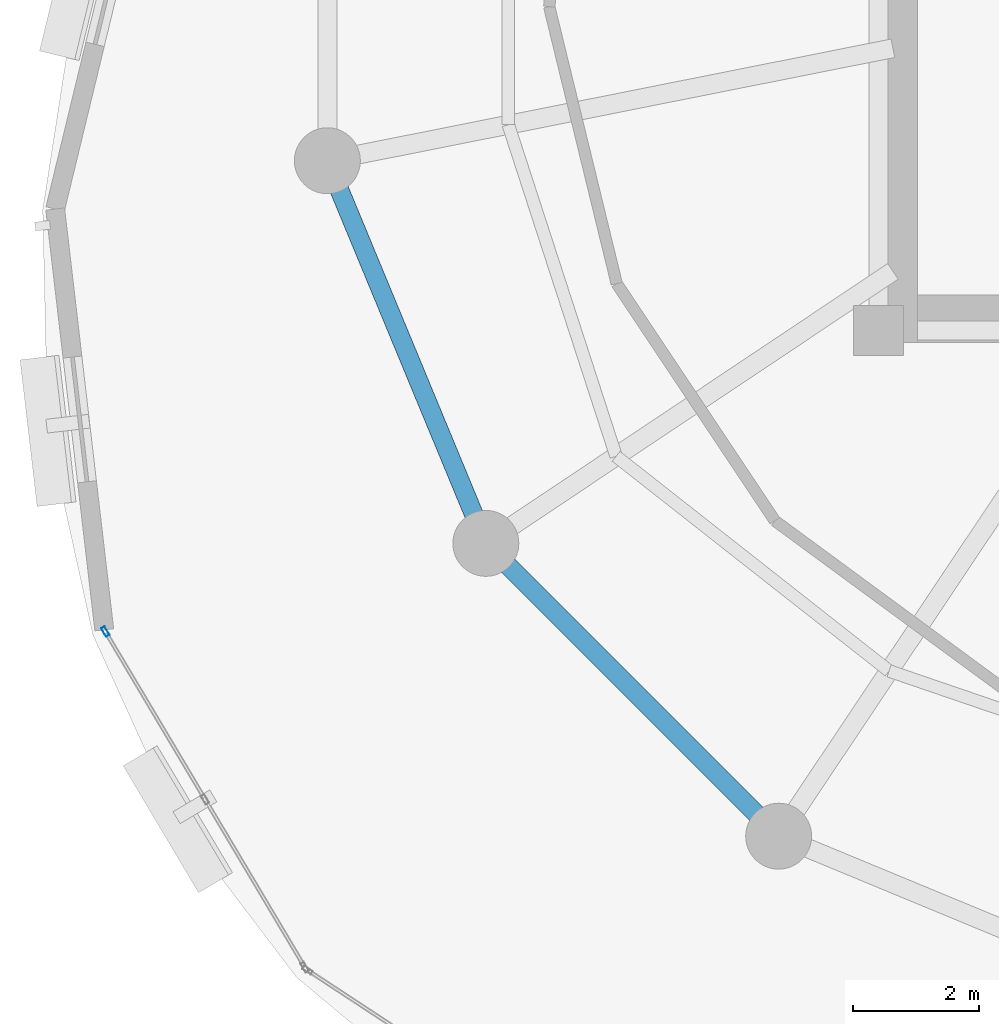
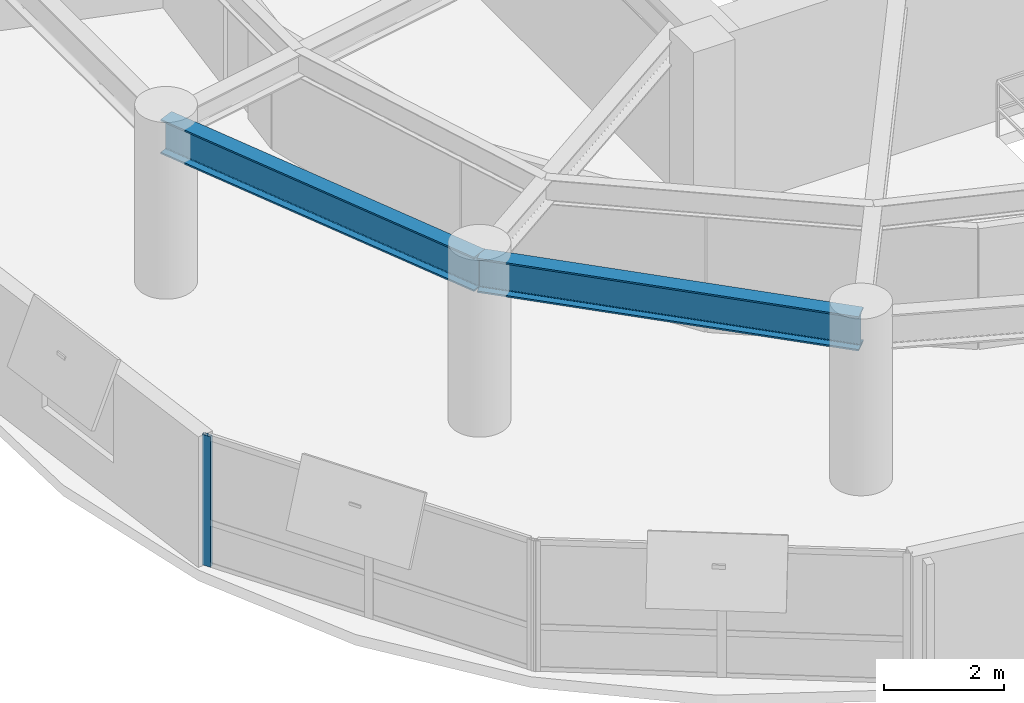
# One storey, part 4 of 12: 2 beams, 1 member, 1 element without a shape of its own.
"""IFC4 building model written with IfcOpenShell, lengths in metres."""

import ifcopenshell
import ifcopenshell.guid

model = None  # the IFC model being written
_history = None  # IfcOwnerHistory: only IFC2X3 demands one
_inside = {}  # id of a spatial element -> (the spatial element, [elements in it])
_under = {}  # id of a project, library or spatial element -> (it, [spatial elements below it])
_declared = {}  # id of a project -> (the project, [libraries it declares])
_typed = {}  # id of a type object -> (the type object, [elements of that type])
_made_of = {}  # id of a material, layer set ... -> (it, [elements and type objects made of it])


def new_model(schema):
    """Start an empty IFC model of exactly this schema.

    Asked for "IFC4X3", IfcOpenShell would pick the latest addendum, in which some entities
    have other attributes; the version numbers below select the first issue.
    IFC2X3 requires an IfcOwnerHistory on every rooted entity: one is made here for all.
    """
    global model, _history
    if schema == "IFC4X3":
        model = ifcopenshell.file(schema_version=(4, 3, 0, 0))
    else:
        model = ifcopenshell.file(schema=schema)
    _inside.clear()
    _under.clear()
    _declared.clear()
    _typed.clear()
    _made_of.clear()
    _history = None
    if model.schema == "IFC2X3":
        org = make("IfcOrganization", Name="unknown")
        user = make(
            "IfcPersonAndOrganization",
            ThePerson=make("IfcPerson", FamilyName="unknown"),
            TheOrganization=org,
        )
        app = make(
            "IfcApplication",
            ApplicationDeveloper=org,
            Version="unknown",
            ApplicationFullName="unknown",
            ApplicationIdentifier="unknown",
        )
        _history = make(
            "IfcOwnerHistory",
            OwningUser=user,
            OwningApplication=app,
            ChangeAction="ADDED",
            CreationDate=0,
        )
    return model


def make(cls, **values):
    """One entity of the class cls with the attributes given. An attribute that is None is left unset."""
    return model.create_entity(
        cls, **{name: value for name, value in values.items() if value is not None}
    )


def rooted(cls, **values):
    """An entity with a GlobalId (a new one), such as an element, a storey or a relation."""
    return make(cls, GlobalId=ifcopenshell.guid.new(), OwnerHistory=_history, **values)


def si_unit(unit_type, name, prefix=None):
    """IfcSIUnit, for example si_unit("LENGTHUNIT", "METRE", prefix="MILLI")."""
    return make("IfcSIUnit", UnitType=unit_type, Prefix=prefix, Name=name)


def assignment(units):
    """IfcUnitAssignment: the units of a project."""
    return None if units is None else make("IfcUnitAssignment", Units=units)


def point(xyz):
    """IfcCartesianPoint."""
    return None if xyz is None else make("IfcCartesianPoint", Coordinates=xyz)


def direction(xyz):
    """IfcDirection."""
    return None if xyz is None else make("IfcDirection", DirectionRatios=xyz)


def frame(location, z_axis=None, x_axis=None):
    """IfcAxis2Placement3D, a coordinate frame: its origin and axes. An axis left out is left unset."""
    return make(
        "IfcAxis2Placement3D",
        Location=point(location),
        Axis=direction(z_axis),
        RefDirection=direction(x_axis),
    )


def frame_2d(location, x_axis=None):
    """IfcAxis2Placement2D, a coordinate frame in the plane: its origin and x axis."""
    return make(
        "IfcAxis2Placement2D", Location=point(location), RefDirection=direction(x_axis)
    )


def origin():
    """The frame at (0, 0, 0) with its axes left unset."""
    return frame((0.0, 0.0, 0.0))


def origin_2d():
    """The frame at (0, 0) in the plane with its x axis left unset."""
    return frame_2d((0.0, 0.0))


def place(relative_to, where):
    """IfcLocalPlacement: puts the frame where relative to a parent placement (None: the world)."""
    return make(
        "IfcLocalPlacement", PlacementRelTo=relative_to, RelativePlacement=where
    )


def context(
    kind, dimensions, precision=None, world=None, true_north=None, identifier=None
):
    """IfcGeometricRepresentationContext, for example the 3D "Model" context."""
    return make(
        "IfcGeometricRepresentationContext",
        ContextIdentifier=identifier,
        ContextType=kind,
        CoordinateSpaceDimension=dimensions,
        Precision=precision,
        WorldCoordinateSystem=world,
        TrueNorth=true_north,
    )


def subcontext(parent, identifier, kind, view, scale=None):
    """IfcGeometricRepresentationSubContext, for example "Body" below "Model"."""
    return make(
        "IfcGeometricRepresentationSubContext",
        ContextIdentifier=identifier,
        ContextType=kind,
        ParentContext=parent,
        TargetScale=scale,
        TargetView=view,
    )


def project(units=None, contexts=None):
    """IfcProject with its units and contexts."""
    return rooted(
        "IfcProject",
        Name="project",
        RepresentationContexts=contexts,
        UnitsInContext=assignment(units),
    )


def spatial(cls, under=None, at=None, **own):
    """A site, building, storey or space (cls), placed at a placement, below another one or the project."""
    s = rooted(cls, ObjectPlacement=at, **own)
    if under is not None:
        _under.setdefault(under.id(), (under, []))[1].append(s)
    return s


def profile(cls, at=None, kind="AREA", **sizes):
    """A parametric profile (cls). Its sizes go by their IFC names, for example OverallWidth=200.0."""
    return make(cls, ProfileType=kind, Position=at, **sizes)


def hollow_rectangle(**sizes):
    """IfcRectangleHollowProfileDef."""
    return profile("IfcRectangleHollowProfileDef", **sizes)


def i_section(**sizes):
    """IfcIShapeProfileDef."""
    return profile("IfcIShapeProfileDef", **sizes)


def extrude(swept, where, along, depth):
    """IfcExtrudedAreaSolid: the profile swept, set in the frame where, extruded along a direction by depth."""
    return make(
        "IfcExtrudedAreaSolid",
        SweptArea=swept,
        Position=where,
        ExtrudedDirection=direction(along),
        Depth=depth,
    )


def shape(context_of_items, identifier, shape_type, items):
    """IfcShapeRepresentation: the items that make up one representation, for example the "Body"."""
    return make(
        "IfcShapeRepresentation",
        ContextOfItems=context_of_items,
        RepresentationIdentifier=identifier,
        RepresentationType=shape_type,
        Items=items,
    )


def material(Name=None, Category=None):
    """IfcMaterial."""
    return make("IfcMaterial", Name=Name, Category=Category)


def layer(
    of_material, thickness, ventilated=None, Name=None, Category=None, Priority=None
):
    """IfcMaterialLayer: one layer of a wall or slab, of a material (None: an air gap)."""
    return make(
        "IfcMaterialLayer",
        Material=of_material,
        LayerThickness=thickness,
        IsVentilated=ventilated,
        Name=Name,
        Category=Category,
        Priority=Priority,
    )


def layer_set(layers, Name=None):
    """IfcMaterialLayerSet."""
    return make("IfcMaterialLayerSet", MaterialLayers=layers, LayerSetName=Name)


def material_profile(
    of_material, cross_section, Name=None, Category=None, Priority=None
):
    """IfcMaterialProfile: a cross section and its material."""
    return make(
        "IfcMaterialProfile",
        Name=Name,
        Material=of_material,
        Profile=cross_section,
        Priority=Priority,
        Category=Category,
    )


def profile_set(profiles, Name=None, composite=None):
    """IfcMaterialProfileSet."""
    return make(
        "IfcMaterialProfileSet",
        Name=Name,
        MaterialProfiles=profiles,
        CompositeProfile=composite,
    )


def made_of(thing, what):
    """Note that an element or type object is made of a material, layer set ...; save() writes the relation."""
    if what is not None:
        _made_of.setdefault(what.id(), (what, []))[1].append(thing)
    return thing


def type_object(cls, material=None, **own):
    """A type object (cls), such as IfcWallType, which elements share."""
    return made_of(rooted(cls, **own), material)


def element(
    cls,
    number,
    at=None,
    inside=None,
    cuts=None,
    type_object=None,
    material=None,
    context=None,
    identifier="Body",
    shape_type=None,
    held_by="IfcProductDefinitionShape",
    body=None,
    shapes=None,
    **own,
):
    """One element of the class cls, such as IfcWall. Its Tag is "e" and its number.

    at: its placement. inside: the storey or other place that contains it. cuts: it is an
    opening in that element (IfcRelVoidsElement). A single representation is given by context,
    identifier, shape_type and body (its items); several are given by shapes. held_by: the class
    of the entity that holds the representations. save() writes the other relations.
    """
    e = rooted(cls, Tag="e%d" % number, ObjectPlacement=at, **own)
    if body is not None:
        shapes = [shape(context, identifier, shape_type, body)]
    if shapes is not None:
        e.Representation = make(held_by, Representations=shapes)
    if inside is not None:
        _inside.setdefault(inside.id(), (inside, []))[1].append(e)
    if cuts is not None:
        rooted(
            "IfcRelVoidsElement", RelatingBuildingElement=cuts, RelatedOpeningElement=e
        )
    if type_object is not None:
        _typed.setdefault(type_object.id(), (type_object, []))[1].append(e)
    return made_of(e, material)


def aggregate(whole, parts):
    """IfcRelAggregates: a whole, such as a stair, and the parts it consists of."""
    return rooted("IfcRelAggregates", RelatingObject=whole, RelatedObjects=parts)


def save(model, path):
    """Write the relations noted so far, then the file.

    IfcRelAggregates (storeys below a building ...), IfcRelContainedInSpatialStructure (elements
    in a storey), IfcRelDefinesByType, IfcRelAssociatesMaterial and IfcRelDeclares: one each for
    every whole, place, type object, material and project.
    """
    for whole, parts in _under.values():
        aggregate(whole, parts)
    for where, things in _inside.values():
        rooted(
            "IfcRelContainedInSpatialStructure",
            RelatedElements=things,
            RelatingStructure=where,
        )
    for kind, things in _typed.values():
        rooted("IfcRelDefinesByType", RelatedObjects=things, RelatingType=kind)
    for what, things in _made_of.values():
        rooted("IfcRelAssociatesMaterial", RelatedObjects=things, RelatingMaterial=what)
    for by, libraries in _declared.values():
        rooted("IfcRelDeclares", RelatingContext=by, RelatedDefinitions=libraries)
    model.write(path)


model = new_model("IFC4")

# Units and contexts
model_context = context("Model", 3, precision=1e-05, world=origin(), true_north=direction((0.0, 1.0)))
body_context = subcontext(model_context, "Body", "Model", "MODEL_VIEW")
ifc_project = project(units=[si_unit("LENGTHUNIT", "METRE"), si_unit("AREAUNIT", "SQUARE_METRE"), si_unit("VOLUMEUNIT", "CUBIC_METRE"), si_unit("PLANEANGLEUNIT", "RADIAN"), si_unit("MASSUNIT", "GRAM", prefix="KILO"), si_unit("THERMODYNAMICTEMPERATUREUNIT", "KELVIN"), si_unit("POWERUNIT", "WATT")], contexts=[model_context])

# Site, building, storey
site_placement = place(None, origin())
site = spatial("IfcSite", under=ifc_project, at=site_placement, CompositionType="ELEMENT")
building_placement = place(site_placement, origin())
building = spatial("IfcBuilding", under=site, at=building_placement, Name="Ocrelia Relay Tower", CompositionType="ELEMENT")
storey_placement = place(building_placement, frame((0.0, 0.0, 213.199951171875)))
storey = spatial("IfcBuildingStorey", under=building, at=storey_placement, Name="L52", CompositionType="ELEMENT", Elevation=213.199951171875)

# Beams
ifc_material_1 = material(Name="Steel S355", Category="steel")
ifc_material_profile_1 = material_profile(ifc_material_1, i_section(OverallWidth=0.300048828125, OverallDepth=0.699951171875, WebThickness=0.01708984375, FlangeThickness=0.031982421875, FilletRadius=0.027099609375, at=origin_2d()), Name="HEB 700")
ifc_profile_set_1 = profile_set([ifc_material_profile_1], Name="Steel S355")
beam_type = type_object("IfcBeamType", Name="BM-HEB700", PredefinedType="BEAM", material=ifc_profile_set_1)
for number, where, z_axis, x_axis, name in (
    (1, (17.4248046875, 22.702880859375, 3.030029296875), (0.382687508402, -0.923877844151, 0.0), (0.923877844151, 0.382687508402, 0.0), "L52 Perimeter Spandrel Beam S09"),
    (2, (19.9482421875, 16.61083984375, 3.030029296875), (0.707106781187, -0.707106781187, 0.0), (0.707106781187, 0.707106781187, 0.0), "L52 Perimeter Spandrel Beam S10"),
):
    element("IfcBeam", number, at=place(storey_placement, frame(where, z_axis=z_axis, x_axis=x_axis)), inside=storey, type_object=beam_type, Name=name, PredefinedType="BEAM", context=body_context, shape_type="SweptSolid", body=[
        extrude(i_section(OverallWidth=0.300048828125, OverallDepth=0.699951171875, WebThickness=0.01708984375, FlangeThickness=0.031982421875, FilletRadius=0.027099609375, at=origin_2d()), origin(), (0.0, 0.0, 1.0), 6.593994140625),
    ])

# Curtain wall, member
ifc_material_2 = material(Name="Aluminium and solar-control low-E glass", Category="aluminium")
ifc_layer = layer(ifc_material_2, 0.179931640625, Name="Aluminium and solar-control low-E glass")
ifc_layer_set = layer_set([ifc_layer], Name="Aluminium and solar-control low-E glass")
curtain_wall_type = type_object("IfcCurtainWallType", Name="CW-SYS-Z3-CLOU", PredefinedType="NOTDEFINED", material=ifc_layer_set)
curtain_wall_placement = place(storey_placement, origin())
curtain_wall = element("IfcCurtainWall", 3, at=curtain_wall_placement, inside=storey, type_object=curtain_wall_type, Name="L52 Elliptical Tower Curtain Wall Bay 09", PredefinedType="NOTDEFINED")
ifc_material_3 = material(Name="Anodised bronze aluminium", Category="aluminium")
ifc_material_profile_2 = material_profile(ifc_material_3, hollow_rectangle(XDim=0.06494140625, YDim=0.159912109375, WallThickness=0.0048828125, at=origin_2d()), Name="CW-MUL-160x65")
ifc_profile_set_2 = profile_set([ifc_material_profile_2], Name="Anodised bronze aluminium")
member_type = type_object("IfcMemberType", Name="CW-SYS-Z3-CLOU-MUL", PredefinedType="MULLION", material=ifc_profile_set_2)
member_placement = place(storey_placement, frame((13.8896484375, 15.20654296875, 0.0), z_axis=(0.0, 0.0, 1.0), x_axis=(0.859669086208, 0.510851311263, 0.0)))
member = element("IfcMember", 4, at=member_placement, type_object=member_type, Name="CW-Z3 mullion 1", PredefinedType="MULLION", context=body_context, shape_type="SweptSolid", body=[
    extrude(hollow_rectangle(XDim=0.06494140625, YDim=0.159912109375, WallThickness=0.0048828125, at=origin_2d()), origin(), (0.0, 0.0, 1.0), 2.66015625),
])
aggregate(curtain_wall, [member])

save(model, "model.ifc")
